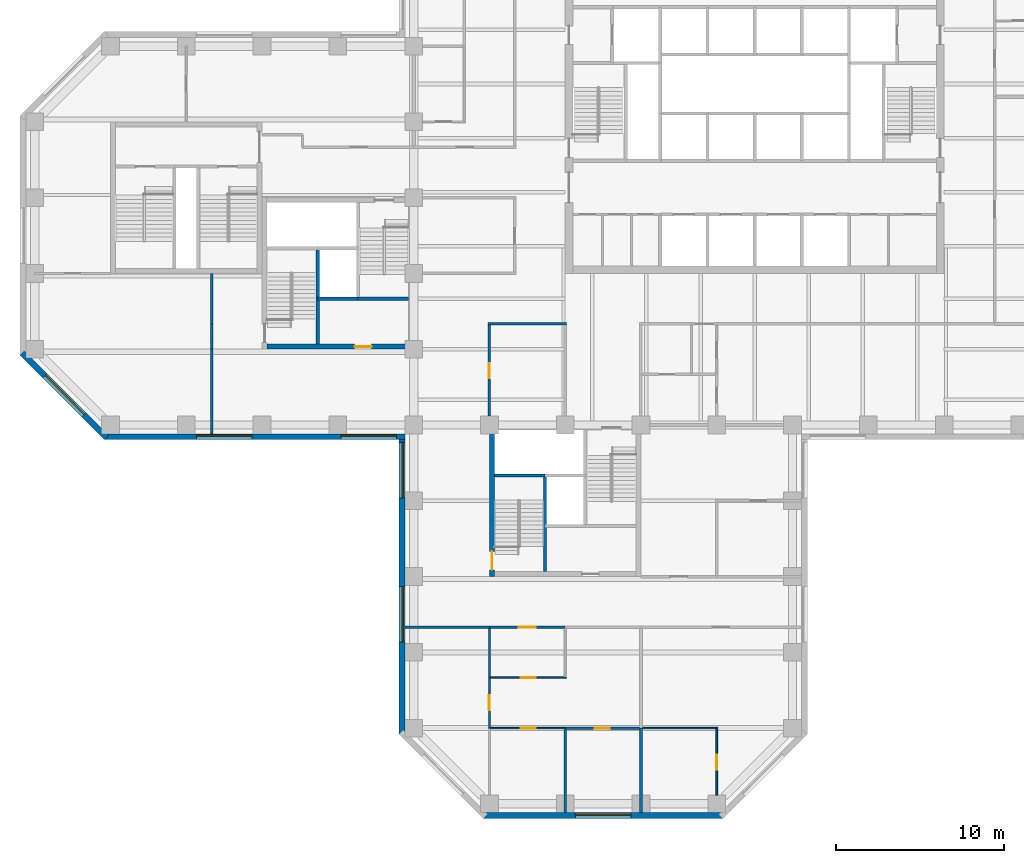
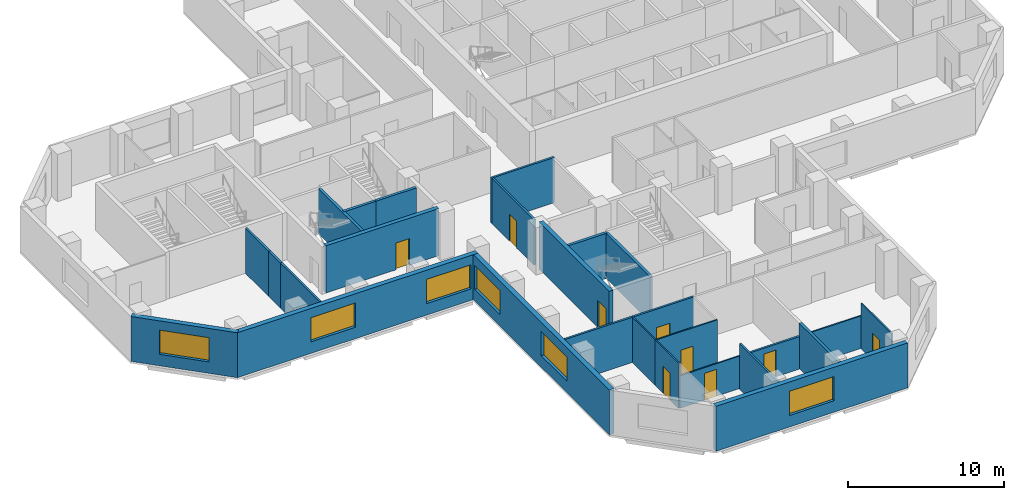
# One storey, part 3 of 11: 27 walls, 9 doors, 6 windows, 15 openings.
"""IFC4 building model written with IfcOpenShell, lengths in metres."""

from ifc_helpers import new_model, si_unit, direction, frame, frame_2d, origin, place, context, subcontext, project, spatial, rectangle, extrude, material, layer, layer_set, constituent, constituent_set, type_object, element, fill, save


model = new_model("IFC4")

# Units and contexts
model_context = context("Model", 3, precision=1e-05, world=origin(), true_north=direction((0.0, 1.0)))
body_context = subcontext(model_context, "Body", "Model", "MODEL_VIEW")
ifc_project = project(units=[si_unit("LENGTHUNIT", "METRE"), si_unit("AREAUNIT", "SQUARE_METRE"), si_unit("VOLUMEUNIT", "CUBIC_METRE"), si_unit("PLANEANGLEUNIT", "RADIAN"), si_unit("MASSUNIT", "GRAM", prefix="KILO")], contexts=[model_context])

# Site, building, storey
site_placement = place(None, origin())
site = spatial("IfcSite", under=ifc_project, at=site_placement, CompositionType="ELEMENT")
building_placement = place(site_placement, origin())
building = spatial("IfcBuilding", under=site, at=building_placement, Name="Quoin Convention Tower", CompositionType="ELEMENT")
storey_placement = place(building_placement, frame((0.0, 0.0, 119.60009765625)))
storey = spatial("IfcBuildingStorey", under=building, at=storey_placement, Name="L31", CompositionType="ELEMENT", Elevation=119.60009765625)

# Wall
ifc_material_1 = material(Name="Plasterboard")
ifc_layer_1 = layer(ifc_material_1, 0.012451171875, Name="Finish")
ifc_material_2 = material(Name="Steel stud framing", Category="steel")
ifc_layer_2 = layer(ifc_material_2, 0.125, Name="Structure")
ifc_layer_3 = layer(ifc_material_1, 0.012451171875, Name="Finish")
ifc_layer_set_1 = layer_set([ifc_layer_1, ifc_layer_2, ifc_layer_3], Name="Steel stud framing")
wall_type_1 = type_object("IfcWallType", Name="Acoustic partition 150", PredefinedType="PARTITIONING", material=ifc_layer_set_1)
wall_1_placement = place(storey_placement, frame((45.0, 17.47509765625, 0.0), z_axis=(0.0, 0.0, 1.0), x_axis=(0.0, 1.0, 0.0)))
element("IfcWall", 1, at=wall_1_placement, inside=storey, type_object=wall_type_1, Name="pw-L31-059", PredefinedType="PARTITIONING", context=body_context, shape_type="SweptSolid", body=[
    extrude(rectangle(XDim=4.949951171875, YDim=0.14990234375, at=frame_2d((2.47509765625, 0.0))), origin(), (0.0, 0.0, 1.0), 3.5498046875),
])

# Wall, opening, door
ifc_layer_4 = layer(ifc_material_1, 0.012451171875, Name="Finish")
ifc_layer_5 = layer(ifc_material_2, 0.125, Name="Structure")
ifc_layer_6 = layer(ifc_material_1, 0.012451171875, Name="Finish")
ifc_layer_set_2 = layer_set([ifc_layer_4, ifc_layer_5, ifc_layer_6], Name="Steel stud framing")
wall_type_2 = type_object("IfcWallType", Name="Acoustic partition 150 under beam 1000", PredefinedType="PARTITIONING", material=ifc_layer_set_2)
wall_2_placement = place(storey_placement, frame((45.0, 22.5, 0.0), z_axis=(0.0, 0.0, 1.0), x_axis=(1.0, 0.0, 0.0)))
wall_2 = element("IfcWall", 2, at=wall_2_placement, inside=storey, type_object=wall_type_2, Name="pw-L31-002", PredefinedType="PARTITIONING", context=body_context, shape_type="SweptSolid", body=[
    extrude(rectangle(XDim=4.39990234375, YDim=0.14990234375, at=frame_2d((2.199951171875, 0.0))), origin(), (0.0, 0.0, 1.0), 2.5498046875),
])
opening_1_placement = place(wall_2_placement, frame((1.75, 0.0, 0.0)))
opening_1 = element("IfcOpeningElement", 3, at=opening_1_placement, cuts=wall_2, Name="Opening DOL6-02", PredefinedType="OPENING", context=body_context, shape_type="SweptSolid", body=[
    extrude(rectangle(XDim=0.89990234375, YDim=2.10009765625, at=frame_2d((0.449951171875, 1.050048828125))), frame((0.0, 0.0849609375, 0.0), z_axis=(0.0, -1.0, 0.0), x_axis=(1.0, 0.0, 0.0)), (0.0, 0.0, 1.0), 0.169921875),
])
ifc_material_3 = material(Name="Steel door leaf", Category="steel")
door_type_1 = type_object("IfcDoorType", Name="Office door 900 x 2100", OperationType="SINGLE_SWING_RIGHT", PredefinedType="DOOR", material=ifc_material_3)
door_1_placement = place(opening_1_placement, origin())
door_1 = element("IfcDoor", 4, at=door_1_placement, inside=storey, type_object=door_type_1, Name="dr-L31-13", OperationType="SINGLE_SWING_RIGHT", OverallHeight=2.10009765625, OverallWidth=0.89990234375, PredefinedType="DOOR", context=body_context, shape_type="SweptSolid", body=[
    extrude(rectangle(XDim=0.89990234375, YDim=2.10009765625, at=frame_2d((0.449951171875, 1.050048828125))), frame((0.0, 0.02490234375, 0.0), z_axis=(0.0, -1.0, 0.0), x_axis=(1.0, 0.0, 0.0)), (0.0, 0.0, 1.0), 0.050048828125),
])
fill(opening_1, door_1)

# Wall, opening, window
ifc_material_4 = material(Name="Brick masonry", Category="masonry")
ifc_layer_7 = layer(ifc_material_4, 0.35009765625)
ifc_layer_set_3 = layer_set([ifc_layer_7], Name="Brick masonry")
wall_type_3 = type_object("IfcWallType", Name="Brick facade wall", PredefinedType="STANDARD", material=ifc_layer_set_3)
wall_3_placement = place(storey_placement, frame((12.748779296875, 44.76123046875, 0.0), z_axis=(0.0, 0.0, 1.0), x_axis=(0.707106781187, -0.707106781187, 0.0)))
wall_3 = element("IfcWall", 5, at=wall_3_placement, inside=storey, type_object=wall_type_3, Name="fw-L31-13500_45000", PredefinedType="STANDARD", context=body_context, shape_type="SweptSolid", body=[
    extrude(rectangle(XDim=7.088623046875, YDim=0.35009765625, at=frame_2d((3.54443359375, 0.0))), origin(), (0.0, 0.0, 1.0), 3.52490234375),
])
opening_2_placement = place(wall_3_placement, frame((1.894287109375, 0.0, 0.89990234375)))
opening_2 = element("IfcOpeningElement", 6, at=opening_2_placement, cuts=wall_3, Name="Opening W-02", PredefinedType="OPENING", context=body_context, shape_type="SweptSolid", body=[
    extrude(rectangle(XDim=3.300048828125, YDim=1.89990234375, at=frame_2d((1.64990234375, 0.949951171875))), frame((0.0, 0.18505859375, 0.0), z_axis=(0.0, -1.0, 0.0), x_axis=(1.0, 0.0, 0.0)), (0.0, 0.0, 1.0), 0.3701171875),
])
ifc_material_5 = material(Name="Aluminium", Category="aluminium")
ifc_constituent_1 = constituent(ifc_material_5, Name="Frame")
ifc_material_6 = material(Name="Insulated glass", Category="glass")
ifc_constituent_2 = constituent(ifc_material_6, Name="Glazing")
ifc_constituent_set = constituent_set(constituents=[ifc_constituent_1, ifc_constituent_2], Name="Aluminium")
window_type = type_object("IfcWindowType", Name="Office window", PartitioningType="DOUBLE_PANEL_VERTICAL", PredefinedType="WINDOW", material=ifc_constituent_set)
window_1_placement = place(opening_2_placement, origin())
window_1 = element("IfcWindow", 7, at=window_1_placement, inside=storey, type_object=window_type, Name="win-L31-15255_42255", OverallHeight=1.89990234375, OverallWidth=3.300048828125, PartitioningType="SINGLE_PANEL", PredefinedType="WINDOW", context=body_context, shape_type="SweptSolid", body=[
    extrude(rectangle(XDim=3.300048828125, YDim=1.89990234375, at=frame_2d((1.64990234375, 0.949951171875))), frame((0.0, 0.0849609375, 0.0), z_axis=(0.0, -1.0, 0.0), x_axis=(1.0, 0.0, 0.0)), (0.0, 0.0, 1.0), 0.06005859375),
])
fill(opening_2, window_1)

# Wall, openings, windows
wall_4_placement = place(storey_placement, frame((17.6376953125, 39.800048828125, 0.0), z_axis=(0.0, 0.0, 1.0), x_axis=(1.0, 0.0, 0.0)))
wall_4 = element("IfcWall", 8, at=wall_4_placement, inside=storey, type_object=wall_type_3, Name="fw-L31-18000_40500", PredefinedType="STANDARD", context=body_context, shape_type="SweptSolid", body=[
    extrude(rectangle(XDim=17.83740234375, YDim=0.35009765625, at=frame_2d((8.918701171875, 0.0))), origin(), (0.0, 0.0, 1.0), 3.52490234375),
])
opening_3_placement = place(wall_4_placement, frame((5.46240234375, 0.0, 0.89990234375)))
opening_3 = element("IfcOpeningElement", 9, at=opening_3_placement, cuts=wall_4, Name="Opening W-02", PredefinedType="OPENING", context=body_context, shape_type="SweptSolid", body=[
    extrude(rectangle(XDim=3.300048828125, YDim=1.89990234375, at=frame_2d((1.64990234375, 0.949951171875))), frame((0.0, 0.18505859375, 0.0), z_axis=(0.0, -1.0, 0.0), x_axis=(1.0, 0.0, 0.0)), (0.0, 0.0, 1.0), 0.3701171875),
])
opening_4_placement = place(wall_4_placement, frame((14.037353515625, 0.0, 0.89990234375)))
opening_4 = element("IfcOpeningElement", 10, at=opening_4_placement, cuts=wall_4, Name="Opening W-02", PredefinedType="OPENING", context=body_context, shape_type="SweptSolid", body=[
    extrude(rectangle(XDim=3.300048828125, YDim=1.89990234375, at=frame_2d((1.64990234375, 0.949951171875))), frame((0.0, 0.18505859375, 0.0), z_axis=(0.0, -1.0, 0.0), x_axis=(1.0, 0.0, 0.0)), (0.0, 0.0, 1.0), 0.3701171875),
])
window_2_placement = place(opening_3_placement, origin())
window_2 = element("IfcWindow", 11, at=window_2_placement, inside=storey, type_object=window_type, Name="win-L31-24750_39800", OverallHeight=1.89990234375, OverallWidth=3.300048828125, PartitioningType="SINGLE_PANEL", PredefinedType="WINDOW", context=body_context, shape_type="SweptSolid", body=[
    extrude(rectangle(XDim=3.300048828125, YDim=1.89990234375, at=frame_2d((1.64990234375, 0.949951171875))), frame((0.0, 0.0849609375, 0.0), z_axis=(0.0, -1.0, 0.0), x_axis=(1.0, 0.0, 0.0)), (0.0, 0.0, 1.0), 0.06005859375),
])
fill(opening_3, window_2)
window_3_placement = place(opening_4_placement, origin())
window_3 = element("IfcWindow", 12, at=window_3_placement, inside=storey, type_object=window_type, Name="win-L31-33750_39800", OverallHeight=1.89990234375, OverallWidth=3.300048828125, PartitioningType="SINGLE_PANEL", PredefinedType="WINDOW", context=body_context, shape_type="SweptSolid", body=[
    extrude(rectangle(XDim=3.300048828125, YDim=1.89990234375, at=frame_2d((1.64990234375, 0.949951171875))), frame((0.0, 0.0849609375, 0.0), z_axis=(0.0, -1.0, 0.0), x_axis=(1.0, 0.0, 0.0)), (0.0, 0.0, 1.0), 0.06005859375),
])
fill(opening_4, window_3)

wall_5_placement = place(storey_placement, frame((35.300048828125, 39.97509765625, 0.0), z_axis=(0.0, 0.0, 1.0), x_axis=(0.0, -1.0, 0.0)))
wall_5 = element("IfcWall", 13, at=wall_5_placement, inside=storey, type_object=wall_type_3, Name="fw-L31-36000_40500", PredefinedType="STANDARD", context=body_context, shape_type="SweptSolid", body=[
    extrude(rectangle(XDim=17.83740234375, YDim=0.35009765625, at=frame_2d((8.918701171875, 0.0))), origin(), (0.0, 0.0, 1.0), 3.52490234375),
])
opening_5_placement = place(wall_5_placement, frame((0.5, 0.0, 0.89990234375)))
opening_5 = element("IfcOpeningElement", 14, at=opening_5_placement, cuts=wall_5, Name="Opening W-02", PredefinedType="OPENING", context=body_context, shape_type="SweptSolid", body=[
    extrude(rectangle(XDim=3.300048828125, YDim=1.89990234375, at=frame_2d((1.64990234375, 0.949951171875))), frame((0.0, 0.18505859375, 0.0), z_axis=(0.0, -1.0, 0.0), x_axis=(1.0, 0.0, 0.0)), (0.0, 0.0, 1.0), 0.3701171875),
])
opening_6_placement = place(wall_5_placement, frame((9.074951171875, 0.0, 0.89990234375)))
opening_6 = element("IfcOpeningElement", 15, at=opening_6_placement, cuts=wall_5, Name="Opening W-02", PredefinedType="OPENING", context=body_context, shape_type="SweptSolid", body=[
    extrude(rectangle(XDim=3.300048828125, YDim=1.89990234375, at=frame_2d((1.64990234375, 0.949951171875))), frame((0.0, 0.18505859375, 0.0), z_axis=(0.0, -1.0, 0.0), x_axis=(1.0, 0.0, 0.0)), (0.0, 0.0, 1.0), 0.3701171875),
])
window_4_placement = place(opening_5_placement, origin())
window_4 = element("IfcWindow", 16, at=window_4_placement, inside=storey, type_object=window_type, Name="win-L31-35300_38250", OverallHeight=1.89990234375, OverallWidth=3.300048828125, PartitioningType="SINGLE_PANEL", PredefinedType="WINDOW", context=body_context, shape_type="SweptSolid", body=[
    extrude(rectangle(XDim=3.300048828125, YDim=1.89990234375, at=frame_2d((1.64990234375, 0.949951171875))), frame((0.0, 0.0849609375, 0.0), z_axis=(0.0, -1.0, 0.0), x_axis=(1.0, 0.0, 0.0)), (0.0, 0.0, 1.0), 0.06005859375),
])
fill(opening_5, window_4)
window_5_placement = place(opening_6_placement, origin())
window_5 = element("IfcWindow", 17, at=window_5_placement, inside=storey, type_object=window_type, Name="win-L31-35300_29250", OverallHeight=1.89990234375, OverallWidth=3.300048828125, PartitioningType="SINGLE_PANEL", PredefinedType="WINDOW", context=body_context, shape_type="SweptSolid", body=[
    extrude(rectangle(XDim=3.300048828125, YDim=1.89990234375, at=frame_2d((1.64990234375, 0.949951171875))), frame((0.0, 0.0849609375, 0.0), z_axis=(0.0, -1.0, 0.0), x_axis=(1.0, 0.0, 0.0)), (0.0, 0.0, 1.0), 0.06005859375),
])
fill(opening_6, window_5)

# Wall, opening, window
wall_6_placement = place(storey_placement, frame((40.1376953125, 17.300048828125, 0.0), z_axis=(0.0, 0.0, 1.0), x_axis=(1.0, 0.0, 0.0)))
wall_6 = element("IfcWall", 18, at=wall_6_placement, inside=storey, type_object=wall_type_3, Name="fw-L31-40500_18000", PredefinedType="STANDARD", context=body_context, shape_type="SweptSolid", body=[
    extrude(rectangle(XDim=14.224609375, YDim=0.35009765625, at=frame_2d((7.1123046875, 0.0))), origin(), (0.0, 0.0, 1.0), 3.52490234375),
])
opening_7_placement = place(wall_6_placement, frame((5.46240234375, 0.0, 0.89990234375)))
opening_7 = element("IfcOpeningElement", 19, at=opening_7_placement, cuts=wall_6, Name="Opening W-02", PredefinedType="OPENING", context=body_context, shape_type="SweptSolid", body=[
    extrude(rectangle(XDim=3.300048828125, YDim=1.89990234375, at=frame_2d((1.64990234375, 0.949951171875))), frame((0.0, 0.18505859375, 0.0), z_axis=(0.0, -1.0, 0.0), x_axis=(1.0, 0.0, 0.0)), (0.0, 0.0, 1.0), 0.3701171875),
])
window_6_placement = place(opening_7_placement, origin())
window_6 = element("IfcWindow", 20, at=window_6_placement, inside=storey, type_object=window_type, Name="win-L31-47250_17300", OverallHeight=1.89990234375, OverallWidth=3.300048828125, PartitioningType="SINGLE_PANEL", PredefinedType="WINDOW", context=body_context, shape_type="SweptSolid", body=[
    extrude(rectangle(XDim=3.300048828125, YDim=1.89990234375, at=frame_2d((1.64990234375, 0.949951171875))), frame((0.0, 0.0849609375, 0.0), z_axis=(0.0, -1.0, 0.0), x_axis=(1.0, 0.0, 0.0)), (0.0, 0.0, 1.0), 0.06005859375),
])
fill(opening_7, window_6)

# Walls
ifc_material_7 = material(Name="Concrete C50", Category="concrete")
ifc_layer_8 = layer(ifc_material_7, 0.199951171875)
ifc_layer_set_4 = layer_set([ifc_layer_8], Name="Concrete C50")
wall_type_4 = type_object("IfcWallType", Name="Core shaft wall", PredefinedType="SOLIDWALL", material=ifc_layer_set_4)
wall_7_placement = place(storey_placement, frame((30.300048828125, 48.0, 0.0), z_axis=(0.0, 0.0, 1.0), x_axis=(1.0, 0.0, 0.0)))
element("IfcWall", 21, at=wall_7_placement, inside=storey, type_object=wall_type_4, Name="cr-P2-L31-h3000_3300", PredefinedType="SOLIDWALL", context=body_context, shape_type="SweptSolid", body=[
    extrude(rectangle(XDim=2.39990234375, YDim=0.199951171875, at=frame_2d((1.199951171875, 0.0))), origin(), (0.0, 0.0, 1.0), 3.5498046875),
])
wall_8_placement = place(storey_placement, frame((32.699951171875, 48.0, 0.0), z_axis=(0.0, 0.0, 1.0), x_axis=(1.0, 0.0, 0.0)))
element("IfcWall", 22, at=wall_8_placement, inside=storey, type_object=wall_type_4, Name="cr-P2-L31-h3000_5700", PredefinedType="SOLIDWALL", context=body_context, shape_type="SweptSolid", body=[
    extrude(rectangle(XDim=3.0, YDim=0.199951171875, at=frame_2d((1.5, 0.0))), origin(), (0.0, 0.0, 1.0), 3.5498046875),
])
wall_9_placement = place(storey_placement, frame((30.300048828125, 45.300048828125, 0.0), z_axis=(0.0, 0.0, 1.0), x_axis=(0.0, 1.0, 0.0)))
element("IfcWall", 23, at=wall_9_placement, inside=storey, type_object=wall_type_4, Name="cr-P2-L31-v3300_300", PredefinedType="SOLIDWALL", context=body_context, shape_type="SweptSolid", body=[
    extrude(rectangle(XDim=5.699951171875, YDim=0.199951171875, at=frame_2d((2.85009765625, 0.0))), origin(), (0.0, 0.0, 1.0), 3.5498046875),
])
wall_10_placement = place(storey_placement, frame((40.800048828125, 37.5, 0.0), z_axis=(0.0, 0.0, 1.0), x_axis=(1.0, 0.0, 0.0)))
element("IfcWall", 24, at=wall_10_placement, inside=storey, type_object=wall_type_4, Name="cr-P3-L31-h6000_300", PredefinedType="SOLIDWALL", context=body_context, shape_type="SweptSolid", body=[
    extrude(rectangle(XDim=3.0, YDim=0.199951171875, at=frame_2d((1.5, 0.0))), origin(), (0.0, 0.0, 1.0), 3.5498046875),
])
wall_11_placement = place(storey_placement, frame((43.800048828125, 31.800048828125, 0.0), z_axis=(0.0, 0.0, 1.0), x_axis=(0.0, 1.0, 0.0)))
element("IfcWall", 25, at=wall_11_placement, inside=storey, type_object=wall_type_4, Name="cr-P3-L31-v3300_300", PredefinedType="SOLIDWALL", context=body_context, shape_type="SweptSolid", body=[
    extrude(rectangle(XDim=5.699951171875, YDim=0.199951171875, at=frame_2d((2.85009765625, 0.0))), origin(), (0.0, 0.0, 1.0), 3.5498046875),
])
ifc_layer_9 = layer(ifc_material_1, 0.012451171875, Name="Finish")
ifc_layer_10 = layer(ifc_material_2, 0.125, Name="Structure")
ifc_layer_11 = layer(ifc_material_1, 0.012451171875, Name="Finish")
ifc_layer_set_5 = layer_set([ifc_layer_9, ifc_layer_10, ifc_layer_11], Name="Steel stud framing")
wall_type_5 = type_object("IfcWallType", Name="Corridor wall 150", PredefinedType="PARTITIONING", material=ifc_layer_set_5)
wall_12_placement = place(storey_placement, frame((35.47509765625, 28.5, 0.0), z_axis=(0.0, 0.0, 1.0), x_axis=(1.0, 0.0, 0.0)))
element("IfcWall", 26, at=wall_12_placement, inside=storey, type_object=wall_type_5, Name="pw-L31-005", PredefinedType="PARTITIONING", context=body_context, shape_type="SweptSolid", body=[
    extrude(rectangle(XDim=5.02490234375, YDim=0.14990234375, at=frame_2d((2.512451171875, 0.0))), origin(), (0.0, 0.0, 1.0), 3.5498046875),
])

# Wall, opening, door
wall_13_placement = place(storey_placement, frame((40.5, 28.5, 0.0), z_axis=(0.0, 0.0, 1.0), x_axis=(1.0, 0.0, 0.0)))
wall_13 = element("IfcWall", 27, at=wall_13_placement, inside=storey, type_object=wall_type_5, Name="pw-L31-006", PredefinedType="PARTITIONING", context=body_context, shape_type="SweptSolid", body=[
    extrude(rectangle(XDim=4.5, YDim=0.14990234375, at=frame_2d((2.25, 0.0))), origin(), (0.0, 0.0, 1.0), 3.5498046875),
])
opening_8_placement = place(wall_13_placement, frame((1.75, 0.0, 0.0)))
opening_8 = element("IfcOpeningElement", 28, at=opening_8_placement, cuts=wall_13, Name="Opening DOL6-04", PredefinedType="OPENING", context=body_context, shape_type="SweptSolid", body=[
    extrude(rectangle(XDim=1.0, YDim=2.10009765625, at=frame_2d((0.5, 1.050048828125))), frame((0.0, 0.0849609375, 0.0), z_axis=(0.0, -1.0, 0.0), x_axis=(1.0, 0.0, 0.0)), (0.0, 0.0, 1.0), 0.169921875),
])
door_type_2 = type_object("IfcDoorType", Name="Tenancy entrance door 1000 x 2100", OperationType="DOUBLE_DOOR_SINGLE_SWING", PredefinedType="DOOR", material=ifc_material_3)
door_2_placement = place(opening_8_placement, frame((1.0, 0.0, 0.0), z_axis=(0.0, 0.0, 1.0), x_axis=(-1.0, 0.0, 0.0)))
door_2 = element("IfcDoor", 29, at=door_2_placement, inside=storey, type_object=door_type_2, Name="dr-L31-09", OperationType="DOUBLE_DOOR_SINGLE_SWING", OverallHeight=2.10009765625, OverallWidth=1.0, PredefinedType="DOOR", context=body_context, shape_type="SweptSolid", body=[
    extrude(rectangle(XDim=1.0, YDim=2.10009765625, at=frame_2d((0.5, 1.050048828125))), frame((0.0, 0.02490234375, 0.0), z_axis=(0.0, -1.0, 0.0), x_axis=(1.0, 0.0, 0.0)), (0.0, 0.0, 1.0), 0.050048828125),
])
fill(opening_8, door_2)

# Walls
wall_14_placement = place(storey_placement, frame((40.425048828125, 46.5, 0.0), z_axis=(0.0, 0.0, 1.0), x_axis=(1.0, 0.0, 0.0)))
element("IfcWall", 30, at=wall_14_placement, inside=storey, type_object=wall_type_5, Name="pw-L31-020", PredefinedType="PARTITIONING", context=body_context, shape_type="SweptSolid", body=[
    extrude(rectangle(XDim=4.64990234375, YDim=0.14990234375, at=frame_2d((2.324951171875, 0.0))), origin(), (0.0, 0.0, 1.0), 3.5498046875),
])
wall_15_placement = place(storey_placement, frame((24.0, 39.97509765625, 0.0), z_axis=(0.0, 0.0, 1.0), x_axis=(0.0, 1.0, 0.0)))
element("IfcWall", 31, at=wall_15_placement, inside=storey, type_object=wall_type_5, Name="pw-L31-068", PredefinedType="PARTITIONING", context=body_context, shape_type="SweptSolid", body=[
    extrude(rectangle(XDim=5.02490234375, YDim=0.14990234375, at=frame_2d((2.512451171875, 0.0))), origin(), (0.0, 0.0, 1.0), 3.5498046875),
])

# Wall, opening, door
wall_16_placement = place(storey_placement, frame((40.5, 41.02490234375, 0.0), z_axis=(0.0, 0.0, 1.0), x_axis=(0.0, 1.0, 0.0)))
wall_16 = element("IfcWall", 32, at=wall_16_placement, inside=storey, type_object=wall_type_5, Name="pw-L31-069", PredefinedType="PARTITIONING", context=body_context, shape_type="SweptSolid", body=[
    extrude(rectangle(XDim=5.400146484375, YDim=0.14990234375, at=frame_2d((2.7001953125, 0.0))), origin(), (0.0, 0.0, 1.0), 3.5498046875),
])
opening_9_placement = place(wall_16_placement, frame((2.25, 0.0, 0.0)))
opening_9 = element("IfcOpeningElement", 33, at=opening_9_placement, cuts=wall_16, Name="Opening DOL6-25", PredefinedType="OPENING", context=body_context, shape_type="SweptSolid", body=[
    extrude(rectangle(XDim=0.89990234375, YDim=2.10009765625, at=frame_2d((0.449951171875, 1.050048828125))), frame((0.0, 0.0849609375, 0.0), z_axis=(0.0, -1.0, 0.0), x_axis=(1.0, 0.0, 0.0)), (0.0, 0.0, 1.0), 0.169921875),
])
door_3_placement = place(opening_9_placement, frame((0.89990234375, 0.0, 0.0), z_axis=(0.0, 0.0, 1.0), x_axis=(-1.0, 0.0, 0.0)))
door_3 = element("IfcDoor", 34, at=door_3_placement, inside=storey, type_object=door_type_1, Name="dr-L31-02", OperationType="SINGLE_SWING_LEFT", OverallHeight=2.10009765625, OverallWidth=0.89990234375, PredefinedType="DOOR", context=body_context, shape_type="SweptSolid", body=[
    extrude(rectangle(XDim=0.89990234375, YDim=2.10009765625, at=frame_2d((0.449951171875, 1.050048828125))), frame((0.0, 0.02490234375, 0.0), z_axis=(0.0, -1.0, 0.0), x_axis=(1.0, 0.0, 0.0)), (0.0, 0.0, 1.0), 0.050048828125),
])
fill(opening_9, door_3)

# Walls
wall_17_placement = place(storey_placement, frame((24.0, 45.0, 0.0), z_axis=(0.0, 0.0, 1.0), x_axis=(0.0, 1.0, 0.0)))
element("IfcWall", 35, at=wall_17_placement, inside=storey, type_object=wall_type_5, Name="pw-L31-077", PredefinedType="PARTITIONING", context=body_context, shape_type="SweptSolid", body=[
    extrude(rectangle(XDim=1.5, YDim=0.14990234375, at=frame_2d((0.75, 0.0))), origin(), (0.0, 0.0, 1.0), 3.5498046875),
])
wall_18_placement = place(storey_placement, frame((24.0, 46.5, 0.0), z_axis=(0.0, 0.0, 1.0), x_axis=(0.0, 1.0, 0.0)))
element("IfcWall", 36, at=wall_18_placement, inside=storey, type_object=wall_type_5, Name="pw-L31-079", PredefinedType="PARTITIONING", context=body_context, shape_type="SweptSolid", body=[
    extrude(rectangle(XDim=3.0, YDim=0.14990234375, at=frame_2d((1.5, 0.0))), origin(), (0.0, 0.0, 1.0), 3.5498046875),
])

# Wall, opening, door
ifc_material_8 = material(Name="Concrete C65", Category="concrete")
ifc_layer_12 = layer(ifc_material_8, 0.300048828125)
ifc_layer_set_6 = layer_set([ifc_layer_12], Name="Concrete C65")
wall_type_6 = type_object("IfcWallType", Name="RC CORE WALL 300 C65", PredefinedType="SHEAR", material=ifc_layer_set_6)
wall_19_placement = place(storey_placement, frame((27.300048828125, 45.14990234375, 0.0), z_axis=(0.0, 0.0, 1.0), x_axis=(1.0, 0.0, 0.0)))
wall_19 = element("IfcWall", 37, at=wall_19_placement, inside=storey, type_object=wall_type_6, Name="cwl-P2-L31-S", PredefinedType="SHEAR", context=body_context, shape_type="SweptSolid", body=[
    extrude(rectangle(XDim=8.39990234375, YDim=0.300048828125, at=frame_2d((4.199951171875, 0.0))), origin(), (0.0, 0.0, 1.0), 3.699951171875),
])
opening_10_placement = place(wall_19_placement, frame((5.199951171875, 0.0, 0.0)))
opening_10 = element("IfcOpeningElement", 38, at=opening_10_placement, cuts=wall_19, Name="Opening DCV5-51", PredefinedType="OPENING", context=body_context, shape_type="SweptSolid", body=[
    extrude(rectangle(XDim=1.0, YDim=2.10009765625, at=frame_2d((0.5, 1.050048828125))), frame((0.0, 0.159912109375, 0.0), z_axis=(0.0, -1.0, 0.0), x_axis=(1.0, 0.0, 0.0)), (0.0, 0.0, 1.0), 0.320068359375),
])
door_type_3 = type_object("IfcDoorType", Name="Service door 1000 x 2100", OperationType="SINGLE_SWING_LEFT", PredefinedType="DOOR", material=ifc_material_3)
door_4_placement = place(opening_10_placement, origin())
door_4 = element("IfcDoor", 39, at=door_4_placement, inside=storey, type_object=door_type_3, Name="cd-P2-L31-R2-S", OperationType="SINGLE_SWING_LEFT", OverallHeight=2.10009765625, OverallWidth=1.0, PredefinedType="DOOR", context=body_context, shape_type="SweptSolid", body=[
    extrude(rectangle(XDim=1.0, YDim=2.10009765625, at=frame_2d((0.5, 1.050048828125))), frame((0.0, 0.02490234375, 0.0), z_axis=(0.0, -1.0, 0.0), x_axis=(1.0, 0.0, 0.0)), (0.0, 0.0, 1.0), 0.050048828125),
])
fill(opening_10, door_4)

wall_20_placement = place(storey_placement, frame((40.64990234375, 31.5, 0.0), z_axis=(0.0, 0.0, 1.0), x_axis=(0.0, 1.0, 0.0)))
wall_20 = element("IfcWall", 40, at=wall_20_placement, inside=storey, type_object=wall_type_6, Name="cwl-P3-L31-W", PredefinedType="SHEAR", context=body_context, shape_type="SweptSolid", body=[
    extrude(rectangle(XDim=9.0, YDim=0.300048828125, at=frame_2d((4.5, 0.0))), origin(), (0.0, 0.0, 1.0), 3.699951171875),
])
opening_11_placement = place(wall_20_placement, frame((0.39990234375, 0.0, 0.0)))
opening_11 = element("IfcOpeningElement", 41, at=opening_11_placement, cuts=wall_20, Name="Opening SD5", PredefinedType="OPENING", context=body_context, shape_type="SweptSolid", body=[
    extrude(rectangle(XDim=1.10009765625, YDim=2.10009765625, at=frame_2d((0.550048828125, 1.050048828125))), frame((0.0, 0.159912109375, 0.0), z_axis=(0.0, -1.0, 0.0), x_axis=(1.0, 0.0, 0.0)), (0.0, 0.0, 1.0), 0.320068359375),
])
door_type_4 = type_object("IfcDoorType", Name="Stair door 1100 x 2100", OperationType="SINGLE_SWING_RIGHT", PredefinedType="DOOR", material=ifc_material_3)
door_5_placement = place(opening_11_placement, frame((1.10009765625, 0.0, 0.0), z_axis=(0.0, 0.0, 1.0), x_axis=(-1.0, 0.0, 0.0)))
door_5 = element("IfcDoor", 42, at=door_5_placement, inside=storey, type_object=door_type_4, Name="cd-P3-L31-SA-W", OperationType="SINGLE_SWING_RIGHT", OverallHeight=2.10009765625, OverallWidth=1.10009765625, PredefinedType="DOOR", context=body_context, shape_type="SweptSolid", body=[
    extrude(rectangle(XDim=1.10009765625, YDim=2.10009765625, at=frame_2d((0.550048828125, 1.050048828125))), frame((0.0, 0.02490234375, 0.0), z_axis=(0.0, -1.0, 0.0), x_axis=(1.0, 0.0, 0.0)), (0.0, 0.0, 1.0), 0.050048828125),
])
fill(opening_11, door_5)

ifc_layer_13 = layer(ifc_material_1, 0.012451171875, Name="Finish")
ifc_layer_14 = layer(ifc_material_2, 0.074951171875, Name="Structure")
ifc_layer_15 = layer(ifc_material_1, 0.012451171875, Name="Finish")
ifc_layer_set_7 = layer_set([ifc_layer_13, ifc_layer_14, ifc_layer_15], Name="Steel stud framing")
wall_type_7 = type_object("IfcWallType", Name="Stud partition 100", PredefinedType="PARTITIONING", material=ifc_layer_set_7)
wall_21_placement = place(storey_placement, frame((40.550048828125, 25.5, 0.0), z_axis=(0.0, 0.0, 1.0), x_axis=(1.0, 0.0, 0.0)))
wall_21 = element("IfcWall", 43, at=wall_21_placement, inside=storey, type_object=wall_type_7, Name="pw-L31-004", PredefinedType="PARTITIONING", context=body_context, shape_type="SweptSolid", body=[
    extrude(rectangle(XDim=4.5, YDim=0.10009765625, at=frame_2d((2.25, 0.0))), origin(), (0.0, 0.0, 1.0), 3.5498046875),
])
opening_12_placement = place(wall_21_placement, frame((1.800048828125, 0.0, 0.0)))
opening_12 = element("IfcOpeningElement", 44, at=opening_12_placement, cuts=wall_21, Name="Opening DOL6-03", PredefinedType="OPENING", context=body_context, shape_type="SweptSolid", body=[
    extrude(rectangle(XDim=0.89990234375, YDim=2.10009765625, at=frame_2d((0.449951171875, 1.050048828125))), frame((0.0, 0.06005859375, 0.0), z_axis=(0.0, -1.0, 0.0), x_axis=(1.0, 0.0, 0.0)), (0.0, 0.0, 1.0), 0.1201171875),
])
door_6_placement = place(opening_12_placement, frame((0.89990234375, 0.0, 0.0), z_axis=(0.0, 0.0, 1.0), x_axis=(-1.0, 0.0, 0.0)))
door_6 = element("IfcDoor", 45, at=door_6_placement, inside=storey, type_object=door_type_1, Name="dr-L31-10", OperationType="SINGLE_SWING_LEFT", OverallHeight=2.10009765625, OverallWidth=0.89990234375, PredefinedType="DOOR", context=body_context, shape_type="SweptSolid", body=[
    extrude(rectangle(XDim=0.89990234375, YDim=2.10009765625, at=frame_2d((0.449951171875, 1.050048828125))), frame((0.0, 0.02490234375, 0.0), z_axis=(0.0, -1.0, 0.0), x_axis=(1.0, 0.0, 0.0)), (0.0, 0.0, 1.0), 0.050048828125),
])
fill(opening_12, door_6)

wall_22_placement = place(storey_placement, frame((54.0, 18.52490234375, 0.0), z_axis=(0.0, 0.0, 1.0), x_axis=(0.0, 1.0, 0.0)))
wall_22 = element("IfcWall", 46, at=wall_22_placement, inside=storey, type_object=wall_type_7, Name="pw-L31-062", PredefinedType="PARTITIONING", context=body_context, shape_type="SweptSolid", body=[
    extrude(rectangle(XDim=3.925048828125, YDim=0.10009765625, at=frame_2d((1.96240234375, 0.0))), origin(), (0.0, 0.0, 1.0), 3.5498046875),
])
opening_13_placement = place(wall_22_placement, frame((1.5, 0.0, 0.0)))
opening_13 = element("IfcOpeningElement", 47, at=opening_13_placement, cuts=wall_22, Name="Opening DOL6-23", PredefinedType="OPENING", context=body_context, shape_type="SweptSolid", body=[
    extrude(rectangle(XDim=0.89990234375, YDim=2.10009765625, at=frame_2d((0.449951171875, 1.050048828125))), frame((0.0, 0.06005859375, 0.0), z_axis=(0.0, -1.0, 0.0), x_axis=(1.0, 0.0, 0.0)), (0.0, 0.0, 1.0), 0.1201171875),
])
door_7_placement = place(opening_13_placement, frame((0.89990234375, 0.0, 0.0), z_axis=(0.0, 0.0, 1.0), x_axis=(-1.0, 0.0, 0.0)))
door_7 = element("IfcDoor", 48, at=door_7_placement, inside=storey, type_object=door_type_1, Name="dr-L31-15", OperationType="SINGLE_SWING_LEFT", OverallHeight=2.10009765625, OverallWidth=0.89990234375, PredefinedType="DOOR", context=body_context, shape_type="SweptSolid", body=[
    extrude(rectangle(XDim=0.89990234375, YDim=2.10009765625, at=frame_2d((0.449951171875, 1.050048828125))), frame((0.0, 0.02490234375, 0.0), z_axis=(0.0, -1.0, 0.0), x_axis=(1.0, 0.0, 0.0)), (0.0, 0.0, 1.0), 0.050048828125),
])
fill(opening_13, door_7)

wall_23_placement = place(storey_placement, frame((40.5, 22.5, 0.0), z_axis=(0.0, 0.0, 1.0), x_axis=(0.0, 1.0, 0.0)))
wall_23 = element("IfcWall", 49, at=wall_23_placement, inside=storey, type_object=wall_type_7, Name="pw-L31-063", PredefinedType="PARTITIONING", context=body_context, shape_type="SweptSolid", body=[
    extrude(rectangle(XDim=3.0, YDim=0.10009765625, at=frame_2d((1.5, 0.0))), origin(), (0.0, 0.0, 1.0), 3.5498046875),
])
opening_14_placement = place(wall_23_placement, frame((1.050048828125, 0.0, 0.0)))
opening_14 = element("IfcOpeningElement", 50, at=opening_14_placement, cuts=wall_23, Name="Opening DOL6-24", PredefinedType="OPENING", context=body_context, shape_type="SweptSolid", body=[
    extrude(rectangle(XDim=0.89990234375, YDim=2.10009765625, at=frame_2d((0.449951171875, 1.050048828125))), frame((0.0, 0.06005859375, 0.0), z_axis=(0.0, -1.0, 0.0), x_axis=(1.0, 0.0, 0.0)), (0.0, 0.0, 1.0), 0.1201171875),
])
door_8_placement = place(opening_14_placement, origin())
door_8 = element("IfcDoor", 51, at=door_8_placement, inside=storey, type_object=door_type_1, Name="dr-L31-11", OperationType="SINGLE_SWING_RIGHT", OverallHeight=2.10009765625, OverallWidth=0.89990234375, PredefinedType="DOOR", context=body_context, shape_type="SweptSolid", body=[
    extrude(rectangle(XDim=0.89990234375, YDim=2.10009765625, at=frame_2d((0.449951171875, 1.050048828125))), frame((0.0, 0.02490234375, 0.0), z_axis=(0.0, -1.0, 0.0), x_axis=(1.0, 0.0, 0.0)), (0.0, 0.0, 1.0), 0.050048828125),
])
fill(opening_14, door_8)

# Wall
wall_24_placement = place(storey_placement, frame((40.5, 25.5, 0.0), z_axis=(0.0, 0.0, 1.0), x_axis=(0.0, 1.0, 0.0)))
element("IfcWall", 52, at=wall_24_placement, inside=storey, type_object=wall_type_7, Name="pw-L31-065", PredefinedType="PARTITIONING", context=body_context, shape_type="SweptSolid", body=[
    extrude(rectangle(XDim=2.925048828125, YDim=0.10009765625, at=frame_2d((1.46240234375, 0.0))), origin(), (0.0, 0.0, 1.0), 3.5498046875),
])

# Wall, opening, door
ifc_layer_16 = layer(ifc_material_1, 0.012451171875, Name="Finish")
ifc_layer_17 = layer(ifc_material_2, 0.074951171875, Name="Structure")
ifc_layer_18 = layer(ifc_material_1, 0.012451171875, Name="Finish")
ifc_layer_set_8 = layer_set([ifc_layer_16, ifc_layer_17, ifc_layer_18], Name="Steel stud framing")
wall_type_8 = type_object("IfcWallType", Name="Stud partition 100 under beam 1000", PredefinedType="PARTITIONING", material=ifc_layer_set_8)
wall_25_placement = place(storey_placement, frame((40.550048828125, 22.5, 0.0), z_axis=(0.0, 0.0, 1.0), x_axis=(1.0, 0.0, 0.0)))
wall_25 = element("IfcWall", 53, at=wall_25_placement, inside=storey, type_object=wall_type_8, Name="pw-L31-001", PredefinedType="PARTITIONING", context=body_context, shape_type="SweptSolid", body=[
    extrude(rectangle(XDim=4.449951171875, YDim=0.10009765625, at=frame_2d((2.22509765625, 0.0))), origin(), (0.0, 0.0, 1.0), 2.5498046875),
])
opening_15_placement = place(wall_25_placement, frame((1.800048828125, 0.0, 0.0)))
opening_15 = element("IfcOpeningElement", 54, at=opening_15_placement, cuts=wall_25, Name="Opening DOL6-01", PredefinedType="OPENING", context=body_context, shape_type="SweptSolid", body=[
    extrude(rectangle(XDim=0.89990234375, YDim=2.10009765625, at=frame_2d((0.449951171875, 1.050048828125))), frame((0.0, 0.06005859375, 0.0), z_axis=(0.0, -1.0, 0.0), x_axis=(1.0, 0.0, 0.0)), (0.0, 0.0, 1.0), 0.1201171875),
])
door_9_placement = place(opening_15_placement, origin())
door_9 = element("IfcDoor", 55, at=door_9_placement, inside=storey, type_object=door_type_1, Name="dr-L31-12", OperationType="SINGLE_SWING_RIGHT", OverallHeight=2.10009765625, OverallWidth=0.89990234375, PredefinedType="DOOR", context=body_context, shape_type="SweptSolid", body=[
    extrude(rectangle(XDim=0.89990234375, YDim=2.10009765625, at=frame_2d((0.449951171875, 1.050048828125))), frame((0.0, 0.02490234375, 0.0), z_axis=(0.0, -1.0, 0.0), x_axis=(1.0, 0.0, 0.0)), (0.0, 0.0, 1.0), 0.050048828125),
])
fill(opening_15, door_9)

# Walls
wall_26_placement = place(storey_placement, frame((49.60009765625, 22.5, 0.0), z_axis=(0.0, 0.0, 1.0), x_axis=(1.0, 0.0, 0.0)))
element("IfcWall", 56, at=wall_26_placement, inside=storey, type_object=wall_type_8, Name="pw-L31-003", PredefinedType="PARTITIONING", context=body_context, shape_type="SweptSolid", body=[
    extrude(rectangle(XDim=4.449951171875, YDim=0.10009765625, at=frame_2d((2.22509765625, 0.0))), origin(), (0.0, 0.0, 1.0), 2.5498046875),
])
ifc_layer_19 = layer(ifc_material_1, 0.012451171875, Name="Finish")
ifc_layer_20 = layer(ifc_material_2, 0.175048828125, Name="Structure")
ifc_layer_21 = layer(ifc_material_1, 0.012451171875, Name="Finish")
ifc_layer_set_9 = layer_set([ifc_layer_19, ifc_layer_20, ifc_layer_21], Name="Steel stud framing")
wall_type_9 = type_object("IfcWallType", Name="Tenancy demising wall 200", PredefinedType="PARTITIONING", material=ifc_layer_set_9)
wall_27_placement = place(storey_placement, frame((49.5, 17.47509765625, 0.0), z_axis=(0.0, 0.0, 1.0), x_axis=(0.0, 1.0, 0.0)))
element("IfcWall", 57, at=wall_27_placement, inside=storey, type_object=wall_type_9, Name="pw-L31-060", PredefinedType="PARTITIONING", context=body_context, shape_type="SweptSolid", body=[
    extrude(rectangle(XDim=5.02490234375, YDim=0.199951171875, at=frame_2d((2.512451171875, 0.0))), origin(), (0.0, 0.0, 1.0), 3.5498046875),
])

save(model, "model.ifc")
